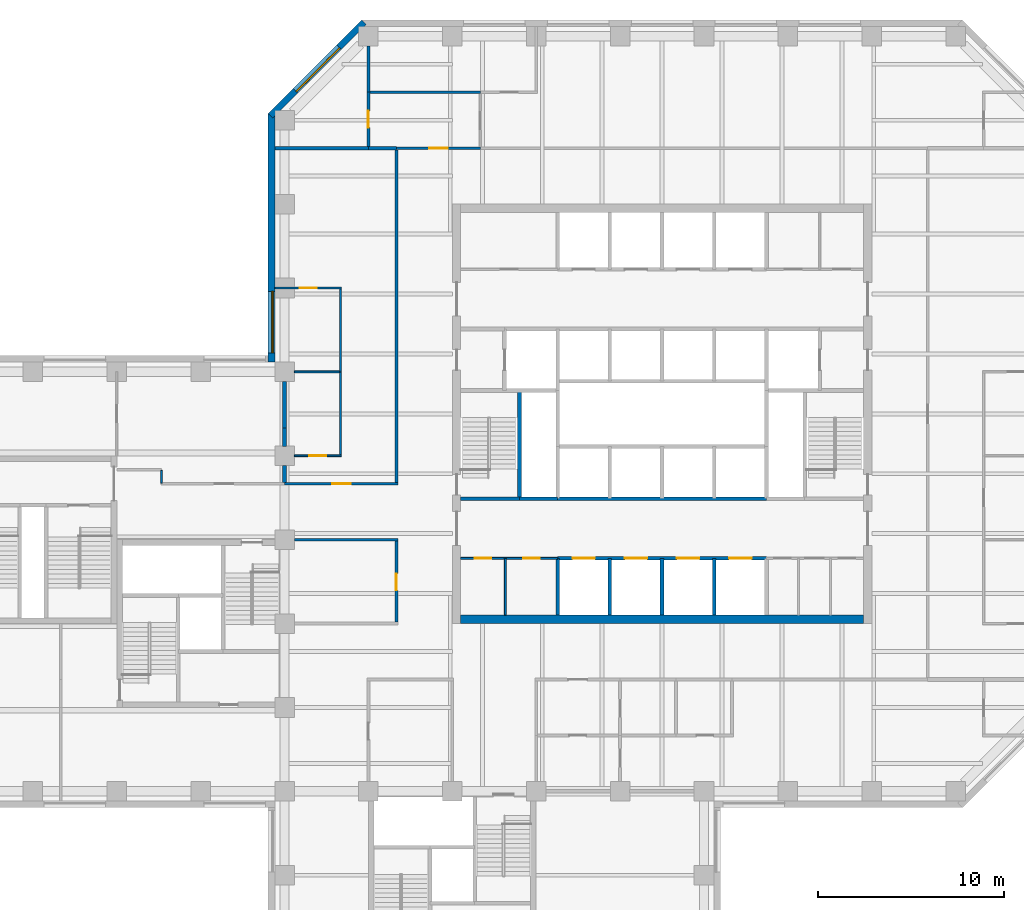
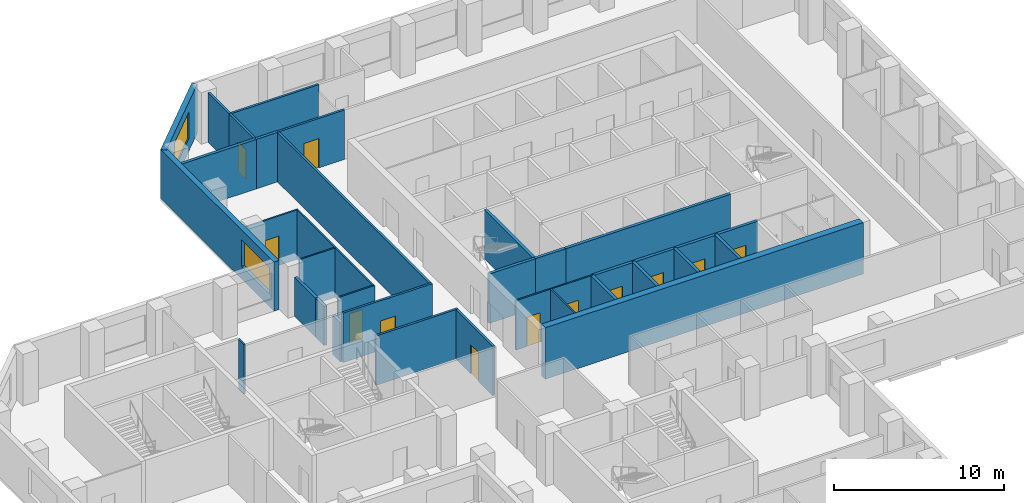
# One storey, part 6 of 10: 33 walls, 12 doors, 2 windows, 14 openings.
"""IFC4 building model written with IfcOpenShell, lengths in metres."""

from ifc_helpers import new_model, si_unit, direction, frame, frame_2d, origin, place, context, subcontext, project, spatial, rectangle, extrude, material, layer, layer_set, constituent, constituent_set, type_object, element, fill, save


model = new_model("IFC4")

# Units and contexts
model_context = context("Model", 3, precision=1e-05, world=origin(), true_north=direction((0.0, 1.0)))
body_context = subcontext(model_context, "Body", "Model", "MODEL_VIEW")
ifc_project = project(units=[si_unit("LENGTHUNIT", "METRE"), si_unit("AREAUNIT", "SQUARE_METRE"), si_unit("VOLUMEUNIT", "CUBIC_METRE"), si_unit("PLANEANGLEUNIT", "RADIAN"), si_unit("MASSUNIT", "GRAM", prefix="KILO")], contexts=[model_context])

# Site, building, storey
site_placement = place(None, origin())
site = spatial("IfcSite", under=ifc_project, at=site_placement, CompositionType="ELEMENT")
building_placement = place(site_placement, origin())
building = spatial("IfcBuilding", under=site, at=building_placement, Name="Quoin Convention Tower", CompositionType="ELEMENT")
storey_placement = place(building_placement, frame((0.0, 0.0, 90.0)))
storey = spatial("IfcBuildingStorey", under=building, at=storey_placement, Name="L23", CompositionType="ELEMENT", Elevation=90.0)

# Wall
ifc_material_1 = material(Name="Plasterboard")
ifc_layer_1 = layer(ifc_material_1, 0.012451171875, Name="Finish")
ifc_material_2 = material(Name="Steel stud framing", Category="steel")
ifc_layer_2 = layer(ifc_material_2, 0.125, Name="Structure")
ifc_layer_3 = layer(ifc_material_1, 0.012451171875, Name="Finish")
ifc_layer_set_1 = layer_set([ifc_layer_1, ifc_layer_2, ifc_layer_3], Name="Steel stud framing")
wall_type_1 = type_object("IfcWallType", Name="Acoustic partition 150", PredefinedType="PARTITIONING", material=ifc_layer_set_1)
wall_1_placement = place(storey_placement, frame((40.574951171875, 78.0, 0.0), z_axis=(0.0, 0.0, 1.0), x_axis=(1.0, 0.0, 0.0)))
element("IfcWall", 1, at=wall_1_placement, inside=storey, type_object=wall_type_1, Name="pw-L23-054", PredefinedType="PARTITIONING", context=body_context, shape_type="SweptSolid", body=[
    extrude(rectangle(XDim=5.925048828125, YDim=0.14990234375, at=frame_2d((2.96240234375, 0.0))), origin(), (0.0, 0.0, 1.0), 3.550048828125),
])

# Wall, opening, door
wall_2_placement = place(storey_placement, frame((40.5, 75.10009765625, 0.0), z_axis=(0.0, 0.0, 1.0), x_axis=(0.0, 1.0, 0.0)))
wall_2 = element("IfcWall", 2, at=wall_2_placement, inside=storey, type_object=wall_type_1, Name="pw-L23-100", PredefinedType="PARTITIONING", context=body_context, shape_type="SweptSolid", body=[
    extrude(rectangle(XDim=2.89990234375, YDim=0.14990234375, at=frame_2d((1.449951171875, 0.0))), origin(), (0.0, 0.0, 1.0), 3.550048828125),
])
opening_1_placement = place(wall_2_placement, frame((1.0, 0.0, 0.0)))
opening_1 = element("IfcOpeningElement", 3, at=opening_1_placement, cuts=wall_2, Name="Opening DOL2-29", PredefinedType="OPENING", context=body_context, shape_type="SweptSolid", body=[
    extrude(rectangle(XDim=0.89990234375, YDim=2.10009765625, at=frame_2d((0.449951171875, 1.050048828125))), frame((0.0, 0.0849609375, 0.0), z_axis=(0.0, -1.0, 0.0), x_axis=(1.0, 0.0, 0.0)), (0.0, 0.0, 1.0), 0.169921875),
])
ifc_material_3 = material(Name="Steel door leaf", Category="steel")
door_type_1 = type_object("IfcDoorType", Name="Office door 900 x 2100", OperationType="SINGLE_SWING_RIGHT", PredefinedType="DOOR", material=ifc_material_3)
door_1_placement = place(opening_1_placement, origin())
door_1 = element("IfcDoor", 4, at=door_1_placement, inside=storey, type_object=door_type_1, Name="dr-L23-34", OperationType="SINGLE_SWING_RIGHT", OverallHeight=2.10009765625, OverallWidth=0.89990234375, PredefinedType="DOOR", context=body_context, shape_type="SweptSolid", body=[
    extrude(rectangle(XDim=0.89990234375, YDim=2.10009765625, at=frame_2d((0.449951171875, 1.050048828125))), frame((0.0, 0.02490234375, 0.0), z_axis=(0.0, -1.0, 0.0), x_axis=(1.0, 0.0, 0.0)), (0.0, 0.0, 1.0), 0.050048828125),
])
fill(opening_1, door_1)

# Wall
wall_3_placement = place(storey_placement, frame((40.5, 78.0, 0.0), z_axis=(0.0, 0.0, 1.0), x_axis=(0.0, 1.0, 0.0)))
element("IfcWall", 5, at=wall_3_placement, inside=storey, type_object=wall_type_1, Name="pw-L23-102", PredefinedType="PARTITIONING", context=body_context, shape_type="SweptSolid", body=[
    extrude(rectangle(XDim=2.47509765625, YDim=0.14990234375, at=frame_2d((1.237548828125, 0.0))), origin(), (0.0, 0.0, 1.0), 3.550048828125),
])

# Wall, opening, window
ifc_material_4 = material(Name="Brick masonry", Category="masonry")
ifc_layer_4 = layer(ifc_material_4, 0.35009765625)
ifc_layer_set_2 = layer_set([ifc_layer_4], Name="Brick masonry")
wall_type_2 = type_object("IfcWallType", Name="Brick facade wall", PredefinedType="STANDARD", material=ifc_layer_set_2)
wall_4_placement = place(storey_placement, frame((40.26123046875, 81.751220703125, 0.0), z_axis=(0.0, 0.0, 1.0), x_axis=(-0.707106781187, -0.707106781187, 0.0)))
wall_4 = element("IfcWall", 6, at=wall_4_placement, inside=storey, type_object=wall_type_2, Name="fw-L23-40500_81000", PredefinedType="STANDARD", context=body_context, shape_type="SweptSolid", body=[
    extrude(rectangle(XDim=7.088623046875, YDim=0.35009765625, at=frame_2d((3.54443359375, 0.0))), origin(), (0.0, 0.0, 1.0), 3.52490234375),
])
opening_2_placement = place(wall_4_placement, frame((1.894287109375, 0.0, 0.89990234375)))
opening_2 = element("IfcOpeningElement", 7, at=opening_2_placement, cuts=wall_4, Name="Opening W-02", PredefinedType="OPENING", context=body_context, shape_type="SweptSolid", body=[
    extrude(rectangle(XDim=3.300048828125, YDim=1.89990234375, at=frame_2d((1.64990234375, 0.949951171875))), frame((0.0, 0.18505859375, 0.0), z_axis=(0.0, -1.0, 0.0), x_axis=(1.0, 0.0, 0.0)), (0.0, 0.0, 1.0), 0.3701171875),
])
ifc_material_5 = material(Name="Aluminium", Category="aluminium")
ifc_constituent_1 = constituent(ifc_material_5, Name="Frame")
ifc_material_6 = material(Name="Insulated glass", Category="glass")
ifc_constituent_2 = constituent(ifc_material_6, Name="Glazing")
ifc_constituent_set = constituent_set(constituents=[ifc_constituent_1, ifc_constituent_2], Name="Aluminium")
window_type = type_object("IfcWindowType", Name="Office window", PartitioningType="DOUBLE_PANEL_VERTICAL", PredefinedType="WINDOW", material=ifc_constituent_set)
window_1_placement = place(opening_2_placement, origin())
window_1 = element("IfcWindow", 8, at=window_1_placement, inside=storey, type_object=window_type, Name="win-L23-37755_79245", OverallHeight=1.89990234375, OverallWidth=3.300048828125, PartitioningType="SINGLE_PANEL", PredefinedType="WINDOW", context=body_context, shape_type="SweptSolid", body=[
    extrude(rectangle(XDim=3.300048828125, YDim=1.89990234375, at=frame_2d((1.64990234375, 0.949951171875))), frame((0.0, 0.0849609375, 0.0), z_axis=(0.0, -1.0, 0.0), x_axis=(1.0, 0.0, 0.0)), (0.0, 0.0, 1.0), 0.06005859375),
])
fill(opening_2, window_1)

wall_5_placement = place(storey_placement, frame((35.300048828125, 76.8623046875, 0.0), z_axis=(0.0, 0.0, 1.0), x_axis=(0.0, -1.0, 0.0)))
wall_5 = element("IfcWall", 9, at=wall_5_placement, inside=storey, type_object=wall_type_2, Name="fw-L23-36000_76500", PredefinedType="STANDARD", context=body_context, shape_type="SweptSolid", body=[
    extrude(rectangle(XDim=13.33740234375, YDim=0.35009765625, at=frame_2d((6.668701171875, 0.0))), origin(), (0.0, 0.0, 1.0), 3.52490234375),
])
opening_3_placement = place(wall_5_placement, frame((9.537353515625, 0.0, 0.89990234375)))
opening_3 = element("IfcOpeningElement", 10, at=opening_3_placement, cuts=wall_5, Name="Opening W-02", PredefinedType="OPENING", context=body_context, shape_type="SweptSolid", body=[
    extrude(rectangle(XDim=3.300048828125, YDim=1.89990234375, at=frame_2d((1.64990234375, 0.949951171875))), frame((0.0, 0.18505859375, 0.0), z_axis=(0.0, -1.0, 0.0), x_axis=(1.0, 0.0, 0.0)), (0.0, 0.0, 1.0), 0.3701171875),
])
window_2_placement = place(opening_3_placement, origin())
window_2 = element("IfcWindow", 11, at=window_2_placement, inside=storey, type_object=window_type, Name="win-L23-35300_65250", OverallHeight=1.89990234375, OverallWidth=3.300048828125, PartitioningType="SINGLE_PANEL", PredefinedType="WINDOW", context=body_context, shape_type="SweptSolid", body=[
    extrude(rectangle(XDim=3.300048828125, YDim=1.89990234375, at=frame_2d((1.64990234375, 0.949951171875))), frame((0.0, 0.0849609375, 0.0), z_axis=(0.0, -1.0, 0.0), x_axis=(1.0, 0.0, 0.0)), (0.0, 0.0, 1.0), 0.06005859375),
])
fill(opening_3, window_2)

# Wall, openings, doors
ifc_layer_5 = layer(ifc_material_1, 0.012451171875, Name="Finish")
ifc_layer_6 = layer(ifc_material_2, 0.074951171875, Name="Structure")
ifc_layer_7 = layer(ifc_material_1, 0.012451171875, Name="Finish")
ifc_layer_set_3 = layer_set([ifc_layer_5, ifc_layer_6, ifc_layer_7], Name="Steel stud framing")
wall_type_3 = type_object("IfcWallType", Name="Core partition wall", PredefinedType="PARTITIONING", material=ifc_layer_set_3)
wall_6_placement = place(storey_placement, frame((45.449951171875, 53.0, 0.0), z_axis=(0.0, 0.0, 1.0), x_axis=(1.0, 0.0, 0.0)))
wall_6 = element("IfcWall", 12, at=wall_6_placement, inside=storey, type_object=wall_type_3, Name="cr-C1-L23-h3500_450", PredefinedType="PARTITIONING", context=body_context, shape_type="SweptSolid", body=[
    extrude(rectangle(XDim=5.199951171875, YDim=0.10009765625, at=frame_2d((2.60009765625, 0.0))), origin(), (0.0, 0.0, 1.0), 3.550048828125),
])
opening_4_placement = place(wall_6_placement, frame((0.74609375, 0.0, 0.0)))
opening_4 = element("IfcOpeningElement", 13, at=opening_4_placement, cuts=wall_6, Name="Opening DCV2-33", PredefinedType="OPENING", context=body_context, shape_type="SweptSolid", body=[
    extrude(rectangle(XDim=0.89990234375, YDim=2.10009765625, at=frame_2d((0.449951171875, 1.050048828125))), frame((0.0, 0.06005859375, 0.0), z_axis=(0.0, -1.0, 0.0), x_axis=(1.0, 0.0, 0.0)), (0.0, 0.0, 1.0), 0.1201171875),
])
opening_5_placement = place(wall_6_placement, frame((3.345947265625, 0.0, 0.0)))
opening_5 = element("IfcOpeningElement", 14, at=opening_5_placement, cuts=wall_6, Name="Opening DCV2-34", PredefinedType="OPENING", context=body_context, shape_type="SweptSolid", body=[
    extrude(rectangle(XDim=0.89990234375, YDim=2.10009765625, at=frame_2d((0.449951171875, 1.050048828125))), frame((0.0, 0.06005859375, 0.0), z_axis=(0.0, -1.0, 0.0), x_axis=(1.0, 0.0, 0.0)), (0.0, 0.0, 1.0), 0.1201171875),
])
door_type_2 = type_object("IfcDoorType", Name="Core room door 900 x 2100", OperationType="SINGLE_SWING_LEFT", PredefinedType="DOOR", material=ifc_material_3)
door_2_placement = place(opening_4_placement, frame((0.89990234375, 0.0, 0.0), z_axis=(0.0, 0.0, 1.0), x_axis=(-1.0, 0.0, 0.0)))
door_2 = element("IfcDoor", 15, at=door_2_placement, inside=storey, type_object=door_type_2, Name="cd-C1-L23-CSW0-lobA-CD2313", OperationType="SINGLE_SWING_LEFT", OverallHeight=2.10009765625, OverallWidth=0.89990234375, PredefinedType="DOOR", context=body_context, shape_type="SweptSolid", body=[
    extrude(rectangle(XDim=0.89990234375, YDim=2.10009765625, at=frame_2d((0.449951171875, 1.050048828125))), frame((0.0, 0.02490234375, 0.0), z_axis=(0.0, -1.0, 0.0), x_axis=(1.0, 0.0, 0.0)), (0.0, 0.0, 1.0), 0.050048828125),
])
fill(opening_4, door_2)
door_3_placement = place(opening_5_placement, frame((0.89990234375, 0.0, 0.0), z_axis=(0.0, 0.0, 1.0), x_axis=(-1.0, 0.0, 0.0)))
door_3 = element("IfcDoor", 16, at=door_3_placement, inside=storey, type_object=door_type_2, Name="cd-C1-L23-CSW1-lobA-CD2314", OperationType="SINGLE_SWING_LEFT", OverallHeight=2.10009765625, OverallWidth=0.89990234375, PredefinedType="DOOR", context=body_context, shape_type="SweptSolid", body=[
    extrude(rectangle(XDim=0.89990234375, YDim=2.10009765625, at=frame_2d((0.449951171875, 1.050048828125))), frame((0.0, 0.02490234375, 0.0), z_axis=(0.0, -1.0, 0.0), x_axis=(1.0, 0.0, 0.0)), (0.0, 0.0, 1.0), 0.050048828125),
])
fill(opening_5, door_3)

# Wall
wall_7_placement = place(storey_placement, frame((47.842041015625, 49.949951171875, 0.0), z_axis=(0.0, 0.0, 1.0), x_axis=(0.0, 1.0, 0.0)))
element("IfcWall", 17, at=wall_7_placement, inside=storey, type_object=wall_type_3, Name="cr-C1-L23-v2842_450", PredefinedType="PARTITIONING", context=body_context, shape_type="SweptSolid", body=[
    extrude(rectangle(XDim=3.050048828125, YDim=0.10009765625, at=frame_2d((1.52490234375, 0.0))), origin(), (0.0, 0.0, 1.0), 3.550048828125),
])

# Wall, openings, doors
ifc_material_7 = material(Name="Concrete C50", Category="concrete")
ifc_layer_8 = layer(ifc_material_7, 0.199951171875)
ifc_layer_set_4 = layer_set([ifc_layer_8], Name="Concrete C50")
wall_type_4 = type_object("IfcWallType", Name="Core shaft wall", PredefinedType="SOLIDWALL", material=ifc_layer_set_4)
wall_8_placement = place(storey_placement, frame((50.64990234375, 53.0, 0.0), z_axis=(0.0, 0.0, 1.0), x_axis=(1.0, 0.0, 0.0)))
wall_8 = element("IfcWall", 18, at=wall_8_placement, inside=storey, type_object=wall_type_4, Name="cr-C1-L23-h3500_5650", PredefinedType="SOLIDWALL", context=body_context, shape_type="SweptSolid", body=[
    extrude(rectangle(XDim=11.2001953125, YDim=0.199951171875, at=frame_2d((5.60009765625, 0.0))), origin(), (0.0, 0.0, 1.0), 3.550048828125),
])
opening_6_placement = place(wall_8_placement, frame((0.800048828125, 0.0, 0.0)))
opening_6 = element("IfcOpeningElement", 19, at=opening_6_placement, cuts=wall_8, Name="Opening LDL1", PredefinedType="OPENING", context=body_context, shape_type="SweptSolid", body=[
    extrude(rectangle(XDim=1.199951171875, YDim=2.10009765625, at=frame_2d((0.60009765625, 1.050048828125))), frame((0.0, 0.10986328125, 0.0), z_axis=(0.0, -1.0, 0.0), x_axis=(1.0, 0.0, 0.0)), (0.0, 0.0, 1.0), 0.219970703125),
])
opening_7_placement = place(wall_8_placement, frame((3.60009765625, 0.0, 0.0)))
opening_7 = element("IfcOpeningElement", 20, at=opening_7_placement, cuts=wall_8, Name="Opening LDL2", PredefinedType="OPENING", context=body_context, shape_type="SweptSolid", body=[
    extrude(rectangle(XDim=1.199951171875, YDim=2.10009765625, at=frame_2d((0.60009765625, 1.050048828125))), frame((0.0, 0.10986328125, 0.0), z_axis=(0.0, -1.0, 0.0), x_axis=(1.0, 0.0, 0.0)), (0.0, 0.0, 1.0), 0.219970703125),
])
opening_8_placement = place(wall_8_placement, frame((6.39990234375, 0.0, 0.0)))
opening_8 = element("IfcOpeningElement", 21, at=opening_8_placement, cuts=wall_8, Name="Opening LDL3", PredefinedType="OPENING", context=body_context, shape_type="SweptSolid", body=[
    extrude(rectangle(XDim=1.199951171875, YDim=2.10009765625, at=frame_2d((0.60009765625, 1.050048828125))), frame((0.0, 0.10986328125, 0.0), z_axis=(0.0, -1.0, 0.0), x_axis=(1.0, 0.0, 0.0)), (0.0, 0.0, 1.0), 0.219970703125),
])
opening_9_placement = place(wall_8_placement, frame((9.199951171875, 0.0, 0.0)))
opening_9 = element("IfcOpeningElement", 22, at=opening_9_placement, cuts=wall_8, Name="Opening LDL4", PredefinedType="OPENING", context=body_context, shape_type="SweptSolid", body=[
    extrude(rectangle(XDim=1.199951171875, YDim=2.10009765625, at=frame_2d((0.60009765625, 1.050048828125))), frame((0.0, 0.10986328125, 0.0), z_axis=(0.0, -1.0, 0.0), x_axis=(1.0, 0.0, 0.0)), (0.0, 0.0, 1.0), 0.219970703125),
])
door_type_3 = type_object("IfcDoorType", Name="Lift landing door 1200 x 2100", OperationType="DOUBLE_DOOR_SLIDING", PredefinedType="DOOR", material=ifc_material_3)
door_4_placement = place(opening_6_placement, origin())
door_4 = element("IfcDoor", 23, at=door_4_placement, inside=storey, type_object=door_type_3, Name="cd-C1-L23-R10-lobA-LDL1", OperationType="DOUBLE_DOOR_SLIDING", OverallHeight=2.10009765625, OverallWidth=1.199951171875, PredefinedType="DOOR", context=body_context, shape_type="SweptSolid", body=[
    extrude(rectangle(XDim=1.199951171875, YDim=2.10009765625, at=frame_2d((0.60009765625, 1.050048828125))), frame((0.0, 0.02490234375, 0.0), z_axis=(0.0, -1.0, 0.0), x_axis=(1.0, 0.0, 0.0)), (0.0, 0.0, 1.0), 0.050048828125),
])
fill(opening_6, door_4)
door_5_placement = place(opening_7_placement, origin())
door_5 = element("IfcDoor", 24, at=door_5_placement, inside=storey, type_object=door_type_3, Name="cd-C1-L23-R11-lobA-LDL2", OperationType="DOUBLE_DOOR_SLIDING", OverallHeight=2.10009765625, OverallWidth=1.199951171875, PredefinedType="DOOR", context=body_context, shape_type="SweptSolid", body=[
    extrude(rectangle(XDim=1.199951171875, YDim=2.10009765625, at=frame_2d((0.60009765625, 1.050048828125))), frame((0.0, 0.02490234375, 0.0), z_axis=(0.0, -1.0, 0.0), x_axis=(1.0, 0.0, 0.0)), (0.0, 0.0, 1.0), 0.050048828125),
])
fill(opening_7, door_5)
door_6_placement = place(opening_8_placement, origin())
door_6 = element("IfcDoor", 25, at=door_6_placement, inside=storey, type_object=door_type_3, Name="cd-C1-L23-R12-lobA-LDL3", OperationType="DOUBLE_DOOR_SLIDING", OverallHeight=2.10009765625, OverallWidth=1.199951171875, PredefinedType="DOOR", context=body_context, shape_type="SweptSolid", body=[
    extrude(rectangle(XDim=1.199951171875, YDim=2.10009765625, at=frame_2d((0.60009765625, 1.050048828125))), frame((0.0, 0.02490234375, 0.0), z_axis=(0.0, -1.0, 0.0), x_axis=(1.0, 0.0, 0.0)), (0.0, 0.0, 1.0), 0.050048828125),
])
fill(opening_8, door_6)
door_7_placement = place(opening_9_placement, origin())
door_7 = element("IfcDoor", 26, at=door_7_placement, inside=storey, type_object=door_type_3, Name="cd-C1-L23-R13-lobA-LDL4", OperationType="DOUBLE_DOOR_SLIDING", OverallHeight=2.10009765625, OverallWidth=1.199951171875, PredefinedType="DOOR", context=body_context, shape_type="SweptSolid", body=[
    extrude(rectangle(XDim=1.199951171875, YDim=2.10009765625, at=frame_2d((0.60009765625, 1.050048828125))), frame((0.0, 0.02490234375, 0.0), z_axis=(0.0, -1.0, 0.0), x_axis=(1.0, 0.0, 0.0)), (0.0, 0.0, 1.0), 0.050048828125),
])
fill(opening_9, door_7)

# Walls
wall_9_placement = place(storey_placement, frame((48.60009765625, 56.199951171875, 0.0), z_axis=(0.0, 0.0, 1.0), x_axis=(1.0, 0.0, 0.0)))
element("IfcWall", 27, at=wall_9_placement, inside=storey, type_object=wall_type_4, Name="cr-C1-L23-h6700_3600", PredefinedType="SOLIDWALL", context=body_context, shape_type="SweptSolid", body=[
    extrude(rectangle(XDim=2.0498046875, YDim=0.199951171875, at=frame_2d((1.02490234375, 0.0))), origin(), (0.0, 0.0, 1.0), 3.550048828125),
])
wall_10_placement = place(storey_placement, frame((45.449951171875, 56.199951171875, 0.0), z_axis=(0.0, 0.0, 1.0), x_axis=(1.0, 0.0, 0.0)))
element("IfcWall", 28, at=wall_10_placement, inside=storey, type_object=wall_type_4, Name="cr-C1-L23-h6700_450", PredefinedType="SOLIDWALL", context=body_context, shape_type="SweptSolid", body=[
    extrude(rectangle(XDim=3.150146484375, YDim=0.199951171875, at=frame_2d((1.5751953125, 0.0))), origin(), (0.0, 0.0, 1.0), 3.550048828125),
])
wall_11_placement = place(storey_placement, frame((50.64990234375, 56.199951171875, 0.0), z_axis=(0.0, 0.0, 1.0), x_axis=(1.0, 0.0, 0.0)))
element("IfcWall", 29, at=wall_11_placement, inside=storey, type_object=wall_type_4, Name="cr-C1-L23-h6700_5650", PredefinedType="SOLIDWALL", context=body_context, shape_type="SweptSolid", body=[
    extrude(rectangle(XDim=11.2001953125, YDim=0.199951171875, at=frame_2d((5.60009765625, 0.0))), origin(), (0.0, 0.0, 1.0), 3.550048828125),
])
wall_12_placement = place(storey_placement, frame((48.60009765625, 56.199951171875, 0.0), z_axis=(0.0, 0.0, 1.0), x_axis=(0.0, 1.0, 0.0)))
element("IfcWall", 30, at=wall_12_placement, inside=storey, type_object=wall_type_4, Name="cr-C1-L23-v3600_6700", PredefinedType="SOLIDWALL", context=body_context, shape_type="SweptSolid", body=[
    extrude(rectangle(XDim=5.800048828125, YDim=0.199951171875, at=frame_2d((2.89990234375, 0.0))), origin(), (0.0, 0.0, 1.0), 3.550048828125),
])
for number, where, z_axis, x_axis, name in (
    (31, (50.64990234375, 49.949951171875, 0.0), (0.0, 0.0, 1.0), (0.0, 1.0, 0.0), "cr-C1-L23-v5650_450"),
    (32, (53.449951171875, 49.949951171875, 0.0), (0.0, 0.0, 1.0), (0.0, 1.0, 0.0), "cr-C1-L23-v8450_450"),
    (33, (56.25, 49.949951171875, 0.0), (0.0, 0.0, 1.0), (0.0, 1.0, 0.0), "cr-C1-L23-v11250_450"),
    (34, (59.050048828125, 49.949951171875, 0.0), (0.0, 0.0, 1.0), (0.0, 1.0, 0.0), "cr-C1-L23-v14050_450"),
):
    element("IfcWall", number, at=place(storey_placement, frame(where, z_axis=z_axis, x_axis=x_axis)), inside=storey, type_object=wall_type_4, Name=name, PredefinedType="SOLIDWALL", context=body_context, shape_type="SweptSolid", body=[
        extrude(rectangle(XDim=3.050048828125, YDim=0.199951171875, at=frame_2d((1.52490234375, 0.0))), origin(), (0.0, 0.0, 1.0), 3.550048828125),
    ])
ifc_layer_9 = layer(ifc_material_1, 0.012451171875, Name="Finish")
ifc_layer_10 = layer(ifc_material_2, 0.125, Name="Structure")
ifc_layer_11 = layer(ifc_material_1, 0.012451171875, Name="Finish")
ifc_layer_set_5 = layer_set([ifc_layer_9, ifc_layer_10, ifc_layer_11], Name="Steel stud framing")
wall_type_5 = type_object("IfcWallType", Name="Corridor wall 150", PredefinedType="PARTITIONING", material=ifc_layer_set_5)
wall_13_placement = place(storey_placement, frame((36.52490234375, 54.0, 0.0), z_axis=(0.0, 0.0, 1.0), x_axis=(1.0, 0.0, 0.0)))
element("IfcWall", 35, at=wall_13_placement, inside=storey, type_object=wall_type_5, Name="pw-L23-035", PredefinedType="PARTITIONING", context=body_context, shape_type="SweptSolid", body=[
    extrude(rectangle(XDim=5.550048828125, YDim=0.14990234375, at=frame_2d((2.77490234375, 0.0))), origin(), (0.0, 0.0, 1.0), 3.550048828125),
])

# Wall, opening, door
wall_14_placement = place(storey_placement, frame((36.0, 57.0, 0.0), z_axis=(0.0, 0.0, 1.0), x_axis=(1.0, 0.0, 0.0)))
wall_14 = element("IfcWall", 36, at=wall_14_placement, inside=storey, type_object=wall_type_5, Name="pw-L23-038", PredefinedType="PARTITIONING", context=body_context, shape_type="SweptSolid", body=[
    extrude(rectangle(XDim=6.074951171875, YDim=0.14990234375, at=frame_2d((3.03759765625, 0.0))), origin(), (0.0, 0.0, 1.0), 3.550048828125),
])
opening_10_placement = place(wall_14_placement, frame((2.550048828125, 0.0, 0.0)))
opening_10 = element("IfcOpeningElement", 37, at=opening_10_placement, cuts=wall_14, Name="Opening DOL2-13", PredefinedType="OPENING", context=body_context, shape_type="SweptSolid", body=[
    extrude(rectangle(XDim=1.0, YDim=2.10009765625, at=frame_2d((0.5, 1.050048828125))), frame((0.0, 0.0849609375, 0.0), z_axis=(0.0, -1.0, 0.0), x_axis=(1.0, 0.0, 0.0)), (0.0, 0.0, 1.0), 0.169921875),
])
door_type_4 = type_object("IfcDoorType", Name="Tenancy entrance door 1000 x 2100", OperationType="DOUBLE_DOOR_SINGLE_SWING", PredefinedType="DOOR", material=ifc_material_3)
door_8_placement = place(opening_10_placement, origin())
door_8 = element("IfcDoor", 38, at=door_8_placement, inside=storey, type_object=door_type_4, Name="dr-L23-36", OperationType="DOUBLE_DOOR_SINGLE_SWING", OverallHeight=2.10009765625, OverallWidth=1.0, PredefinedType="DOOR", context=body_context, shape_type="SweptSolid", body=[
    extrude(rectangle(XDim=1.0, YDim=2.10009765625, at=frame_2d((0.5, 1.050048828125))), frame((0.0, 0.02490234375, 0.0), z_axis=(0.0, -1.0, 0.0), x_axis=(1.0, 0.0, 0.0)), (0.0, 0.0, 1.0), 0.050048828125),
])
fill(opening_10, door_8)

wall_15_placement = place(storey_placement, frame((42.0, 75.0, 0.0), z_axis=(0.0, 0.0, 1.0), x_axis=(1.0, 0.0, 0.0)))
wall_15 = element("IfcWall", 39, at=wall_15_placement, inside=storey, type_object=wall_type_5, Name="pw-L23-050", PredefinedType="PARTITIONING", context=body_context, shape_type="SweptSolid", body=[
    extrude(rectangle(XDim=4.5, YDim=0.14990234375, at=frame_2d((2.25, 0.0))), origin(), (0.0, 0.0, 1.0), 3.550048828125),
])
opening_11_placement = place(wall_15_placement, frame((1.75, 0.0, 0.0)))
opening_11 = element("IfcOpeningElement", 40, at=opening_11_placement, cuts=wall_15, Name="Opening DOL2-17", PredefinedType="OPENING", context=body_context, shape_type="SweptSolid", body=[
    extrude(rectangle(XDim=1.0, YDim=2.10009765625, at=frame_2d((0.5, 1.050048828125))), frame((0.0, 0.0849609375, 0.0), z_axis=(0.0, -1.0, 0.0), x_axis=(1.0, 0.0, 0.0)), (0.0, 0.0, 1.0), 0.169921875),
])
door_9_placement = place(opening_11_placement, frame((1.0, 0.0, 0.0), z_axis=(0.0, 0.0, 1.0), x_axis=(-1.0, 0.0, 0.0)))
door_9 = element("IfcDoor", 41, at=door_9_placement, inside=storey, type_object=door_type_4, Name="dr-L23-31", OperationType="DOUBLE_DOOR_SINGLE_SWING", OverallHeight=2.10009765625, OverallWidth=1.0, PredefinedType="DOOR", context=body_context, shape_type="SweptSolid", body=[
    extrude(rectangle(XDim=1.0, YDim=2.10009765625, at=frame_2d((0.5, 1.050048828125))), frame((0.0, 0.02490234375, 0.0), z_axis=(0.0, -1.0, 0.0), x_axis=(1.0, 0.0, 0.0)), (0.0, 0.0, 1.0), 0.050048828125),
])
fill(opening_11, door_9)

wall_16_placement = place(storey_placement, frame((42.0, 49.574951171875, 0.0), z_axis=(0.0, 0.0, 1.0), x_axis=(0.0, 1.0, 0.0)))
wall_16 = element("IfcWall", 42, at=wall_16_placement, inside=storey, type_object=wall_type_5, Name="pw-L23-084", PredefinedType="PARTITIONING", context=body_context, shape_type="SweptSolid", body=[
    extrude(rectangle(XDim=4.35009765625, YDim=0.14990234375, at=frame_2d((2.175048828125, 0.0))), origin(), (0.0, 0.0, 1.0), 3.550048828125),
])
opening_12_placement = place(wall_16_placement, frame((1.699951171875, 0.0, 0.0)))
opening_12 = element("IfcOpeningElement", 43, at=opening_12_placement, cuts=wall_16, Name="Opening DOL2-26", PredefinedType="OPENING", context=body_context, shape_type="SweptSolid", body=[
    extrude(rectangle(XDim=0.89990234375, YDim=2.10009765625, at=frame_2d((0.449951171875, 1.050048828125))), frame((0.0, 0.0849609375, 0.0), z_axis=(0.0, -1.0, 0.0), x_axis=(1.0, 0.0, 0.0)), (0.0, 0.0, 1.0), 0.169921875),
])
door_10_placement = place(opening_12_placement, origin())
door_10 = element("IfcDoor", 44, at=door_10_placement, inside=storey, type_object=door_type_1, Name="dr-L23-01", OperationType="SINGLE_SWING_RIGHT", OverallHeight=2.10009765625, OverallWidth=0.89990234375, PredefinedType="DOOR", context=body_context, shape_type="SweptSolid", body=[
    extrude(rectangle(XDim=0.89990234375, YDim=2.10009765625, at=frame_2d((0.449951171875, 1.050048828125))), frame((0.0, 0.02490234375, 0.0), z_axis=(0.0, -1.0, 0.0), x_axis=(1.0, 0.0, 0.0)), (0.0, 0.0, 1.0), 0.050048828125),
])
fill(opening_12, door_10)

# Walls
wall_17_placement = place(storey_placement, frame((42.0, 57.074951171875, 0.0), z_axis=(0.0, 0.0, 1.0), x_axis=(0.0, 1.0, 0.0)))
element("IfcWall", 45, at=wall_17_placement, inside=storey, type_object=wall_type_5, Name="pw-L23-089", PredefinedType="PARTITIONING", context=body_context, shape_type="SweptSolid", body=[
    extrude(rectangle(XDim=17.824951171875, YDim=0.14990234375, at=frame_2d((8.91259765625, 0.0))), origin(), (0.0, 0.0, 1.0), 3.550048828125),
])
ifc_material_8 = material(Name="Concrete C65", Category="concrete")
ifc_layer_12 = layer(ifc_material_8, 0.449951171875)
ifc_layer_set_6 = layer_set([ifc_layer_12], Name="Concrete C65")
wall_type_6 = type_object("IfcWallType", Name="RC CORE WALL 450 C65", PredefinedType="SHEAR", material=ifc_layer_set_6)
wall_18_placement = place(storey_placement, frame((45.449951171875, 49.72509765625, 0.0), z_axis=(0.0, 0.0, 1.0), x_axis=(1.0, 0.0, 0.0)))
element("IfcWall", 46, at=wall_18_placement, inside=storey, type_object=wall_type_6, Name="cwl-C1-L23-S", PredefinedType="SHEAR", context=body_context, shape_type="SweptSolid", body=[
    extrude(rectangle(XDim=21.60009765625, YDim=0.449951171875, at=frame_2d((10.800048828125, 0.0))), origin(), (0.0, 0.0, 1.0), 3.699951171875),
])

# Wall, opening, door
ifc_layer_13 = layer(ifc_material_1, 0.012451171875, Name="Finish")
ifc_layer_14 = layer(ifc_material_2, 0.074951171875, Name="Structure")
ifc_layer_15 = layer(ifc_material_1, 0.012451171875, Name="Finish")
ifc_layer_set_7 = layer_set([ifc_layer_13, ifc_layer_14, ifc_layer_15], Name="Steel stud framing")
wall_type_7 = type_object("IfcWallType", Name="Stud partition 100", PredefinedType="PARTITIONING", material=ifc_layer_set_7)
wall_19_placement = place(storey_placement, frame((36.52490234375, 58.5, 0.0), z_axis=(0.0, 0.0, 1.0), x_axis=(1.0, 0.0, 0.0)))
wall_19 = element("IfcWall", 47, at=wall_19_placement, inside=storey, type_object=wall_type_7, Name="pw-L23-040", PredefinedType="PARTITIONING", context=body_context, shape_type="SweptSolid", body=[
    extrude(rectangle(XDim=2.525146484375, YDim=0.10009765625, at=frame_2d((1.2626953125, 0.0))), origin(), (0.0, 0.0, 1.0), 3.550048828125),
])
opening_13_placement = place(wall_19_placement, frame((0.800048828125, 0.0, 0.0)))
opening_13 = element("IfcOpeningElement", 48, at=opening_13_placement, cuts=wall_19, Name="Opening DOL2-14", PredefinedType="OPENING", context=body_context, shape_type="SweptSolid", body=[
    extrude(rectangle(XDim=0.89990234375, YDim=2.10009765625, at=frame_2d((0.449951171875, 1.050048828125))), frame((0.0, 0.06005859375, 0.0), z_axis=(0.0, -1.0, 0.0), x_axis=(1.0, 0.0, 0.0)), (0.0, 0.0, 1.0), 0.1201171875),
])
door_11_placement = place(opening_13_placement, frame((0.89990234375, 0.0, 0.0), z_axis=(0.0, 0.0, 1.0), x_axis=(-1.0, 0.0, 0.0)))
door_11 = element("IfcDoor", 49, at=door_11_placement, inside=storey, type_object=door_type_1, Name="dr-L23-37", OperationType="SINGLE_SWING_LEFT", OverallHeight=2.10009765625, OverallWidth=0.89990234375, PredefinedType="DOOR", context=body_context, shape_type="SweptSolid", body=[
    extrude(rectangle(XDim=0.89990234375, YDim=2.10009765625, at=frame_2d((0.449951171875, 1.050048828125))), frame((0.0, 0.02490234375, 0.0), z_axis=(0.0, -1.0, 0.0), x_axis=(1.0, 0.0, 0.0)), (0.0, 0.0, 1.0), 0.050048828125),
])
fill(opening_13, door_11)

# Wall
wall_20_placement = place(storey_placement, frame((36.52490234375, 63.0, 0.0), z_axis=(0.0, 0.0, 1.0), x_axis=(1.0, 0.0, 0.0)))
element("IfcWall", 50, at=wall_20_placement, inside=storey, type_object=wall_type_7, Name="pw-L23-045", PredefinedType="PARTITIONING", context=body_context, shape_type="SweptSolid", body=[
    extrude(rectangle(XDim=2.425048828125, YDim=0.10009765625, at=frame_2d((1.21240234375, 0.0))), origin(), (0.0, 0.0, 1.0), 3.550048828125),
])

# Wall, opening, door
wall_21_placement = place(storey_placement, frame((35.47509765625, 67.5, 0.0), z_axis=(0.0, 0.0, 1.0), x_axis=(1.0, 0.0, 0.0)))
wall_21 = element("IfcWall", 51, at=wall_21_placement, inside=storey, type_object=wall_type_7, Name="pw-L23-047", PredefinedType="PARTITIONING", context=body_context, shape_type="SweptSolid", body=[
    extrude(rectangle(XDim=3.574951171875, YDim=0.10009765625, at=frame_2d((1.78759765625, 0.0))), origin(), (0.0, 0.0, 1.0), 3.550048828125),
])
opening_14_placement = place(wall_21_placement, frame((1.35009765625, 0.0, 0.0)))
opening_14 = element("IfcOpeningElement", 52, at=opening_14_placement, cuts=wall_21, Name="Opening DOL2-16", PredefinedType="OPENING", context=body_context, shape_type="SweptSolid", body=[
    extrude(rectangle(XDim=0.89990234375, YDim=2.10009765625, at=frame_2d((0.449951171875, 1.050048828125))), frame((0.0, 0.06005859375, 0.0), z_axis=(0.0, -1.0, 0.0), x_axis=(1.0, 0.0, 0.0)), (0.0, 0.0, 1.0), 0.1201171875),
])
door_12_placement = place(opening_14_placement, origin())
door_12 = element("IfcDoor", 53, at=door_12_placement, inside=storey, type_object=door_type_1, Name="dr-L23-38", OperationType="SINGLE_SWING_RIGHT", OverallHeight=2.10009765625, OverallWidth=0.89990234375, PredefinedType="DOOR", context=body_context, shape_type="SweptSolid", body=[
    extrude(rectangle(XDim=0.89990234375, YDim=2.10009765625, at=frame_2d((0.449951171875, 1.050048828125))), frame((0.0, 0.02490234375, 0.0), z_axis=(0.0, -1.0, 0.0), x_axis=(1.0, 0.0, 0.0)), (0.0, 0.0, 1.0), 0.050048828125),
])
fill(opening_14, door_12)

# Walls
for number, where, z_axis, x_axis, name in (
    (54, (39.0, 58.550048828125, 0.0), (0.0, 0.0, 1.0), (0.0, 1.0, 0.0), "pw-L23-091"),
    (55, (39.0, 63.0, 0.0), (0.0, 0.0, 1.0), (0.0, 1.0, 0.0), "pw-L23-098"),
):
    element("IfcWall", number, at=place(storey_placement, frame(where, z_axis=z_axis, x_axis=x_axis)), inside=storey, type_object=wall_type_7, Name=name, PredefinedType="PARTITIONING", context=body_context, shape_type="SweptSolid", body=[
        extrude(rectangle(XDim=4.449951171875, YDim=0.10009765625, at=frame_2d((2.22509765625, 0.0))), origin(), (0.0, 0.0, 1.0), 3.550048828125),
    ])
wall_22_placement = place(storey_placement, frame((29.39990234375, 57.715087890625, 0.0), z_axis=(0.0, 0.0, 1.0), x_axis=(0.0, -1.0, 0.0)))
element("IfcWall", 56, at=wall_22_placement, inside=storey, type_object=wall_type_7, Name="pw-L23-w04", PredefinedType="PARTITIONING", context=body_context, shape_type="SweptSolid", body=[
    extrude(rectangle(XDim=0.68017578125, YDim=0.10009765625, at=frame_2d((0.340087890625, 0.0))), origin(), (0.0, 0.0, 1.0), 3.550048828125),
])
ifc_layer_16 = layer(ifc_material_1, 0.012451171875, Name="Finish")
ifc_layer_17 = layer(ifc_material_2, 0.175048828125, Name="Structure")
ifc_layer_18 = layer(ifc_material_1, 0.012451171875, Name="Finish")
ifc_layer_set_8 = layer_set([ifc_layer_16, ifc_layer_17, ifc_layer_18], Name="Steel stud framing")
wall_type_8 = type_object("IfcWallType", Name="Tenancy demising wall 200", PredefinedType="PARTITIONING", material=ifc_layer_set_8)
wall_23_placement = place(storey_placement, frame((35.47509765625, 75.0, 0.0), z_axis=(0.0, 0.0, 1.0), x_axis=(1.0, 0.0, 0.0)))
element("IfcWall", 57, at=wall_23_placement, inside=storey, type_object=wall_type_8, Name="pw-L23-048", PredefinedType="PARTITIONING", context=body_context, shape_type="SweptSolid", body=[
    extrude(rectangle(XDim=5.02490234375, YDim=0.199951171875, at=frame_2d((2.512451171875, 0.0))), origin(), (0.0, 0.0, 1.0), 3.550048828125),
])
wall_24_placement = place(storey_placement, frame((40.5, 75.0, 0.0), z_axis=(0.0, 0.0, 1.0), x_axis=(1.0, 0.0, 0.0)))
element("IfcWall", 58, at=wall_24_placement, inside=storey, type_object=wall_type_8, Name="pw-L23-049", PredefinedType="PARTITIONING", context=body_context, shape_type="SweptSolid", body=[
    extrude(rectangle(XDim=1.5, YDim=0.199951171875, at=frame_2d((0.75, 0.0))), origin(), (0.0, 0.0, 1.0), 3.550048828125),
])
ifc_layer_19 = layer(ifc_material_1, 0.012451171875, Name="Finish")
ifc_layer_20 = layer(ifc_material_2, 0.175048828125, Name="Structure")
ifc_layer_21 = layer(ifc_material_1, 0.012451171875, Name="Finish")
ifc_layer_set_9 = layer_set([ifc_layer_19, ifc_layer_20, ifc_layer_21], Name="Steel stud framing")
wall_type_9 = type_object("IfcWallType", Name="Tenancy demising wall 200 under beam 750", PredefinedType="PARTITIONING", material=ifc_layer_set_9)
wall_25_placement = place(storey_placement, frame((36.0, 57.074951171875, 0.0), z_axis=(0.0, 0.0, 1.0), x_axis=(0.0, 1.0, 0.0)))
element("IfcWall", 59, at=wall_25_placement, inside=storey, type_object=wall_type_9, Name="pw-L23-088", PredefinedType="PARTITIONING", context=body_context, shape_type="SweptSolid", body=[
    extrude(rectangle(XDim=0.900146484375, YDim=0.199951171875, at=frame_2d((0.4501953125, 0.0))), origin(), (0.0, 0.0, 1.0), 2.800048828125),
])
wall_26_placement = place(storey_placement, frame((36.0, 58.9951171875, 0.0), z_axis=(0.0, 0.0, 1.0), x_axis=(0.0, 1.0, 0.0)))
element("IfcWall", 60, at=wall_26_placement, inside=storey, type_object=wall_type_9, Name="pw-L23-092", PredefinedType="PARTITIONING", context=body_context, shape_type="SweptSolid", body=[
    extrude(rectangle(XDim=1.0048828125, YDim=0.199951171875, at=frame_2d((0.50244140625, 0.0))), origin(), (0.0, 0.0, 1.0), 2.800048828125),
])
wall_27_placement = place(storey_placement, frame((36.0, 60.0, 0.0), z_axis=(0.0, 0.0, 1.0), x_axis=(0.0, 1.0, 0.0)))
element("IfcWall", 61, at=wall_27_placement, inside=storey, type_object=wall_type_9, Name="pw-L23-094", PredefinedType="PARTITIONING", context=body_context, shape_type="SweptSolid", body=[
    extrude(rectangle(XDim=2.47509765625, YDim=0.199951171875, at=frame_2d((1.237548828125, 0.0))), origin(), (0.0, 0.0, 1.0), 2.800048828125),
])

save(model, "model.ifc")
